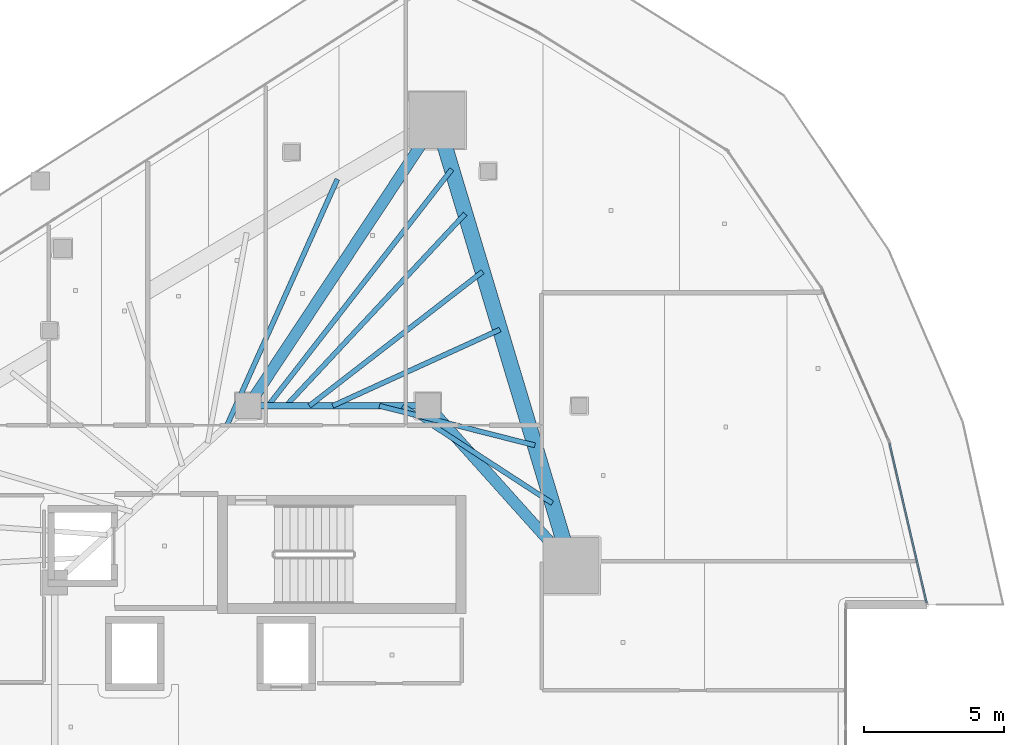
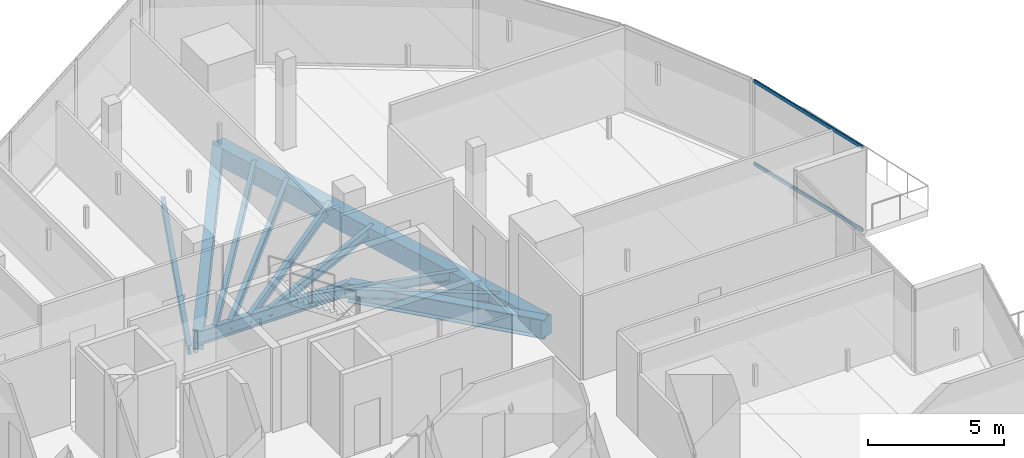
# One storey, part 18 of 33: 11 beams, 2 members, 1 element without a shape of its own.
"""IFC4 building model written with IfcOpenShell, lengths in metres."""

from ifc_helpers import new_model, si_unit, direction, frame, origin, origin_2d, place, context, subcontext, project, spatial, rectangle, hollow_rectangle, i_section, extrude, material, layer, layer_set, material_profile, profile_set, type_object, element, aggregate, save


model = new_model("IFC4")

# Units and contexts
model_context = context("Model", 3, precision=1e-05, world=origin(), true_north=direction((0.0, 1.0)))
body_context = subcontext(model_context, "Body", "Model", "MODEL_VIEW")
ifc_project = project(units=[si_unit("LENGTHUNIT", "METRE"), si_unit("AREAUNIT", "SQUARE_METRE"), si_unit("VOLUMEUNIT", "CUBIC_METRE"), si_unit("PLANEANGLEUNIT", "RADIAN"), si_unit("MASSUNIT", "GRAM", prefix="KILO")], contexts=[model_context])

# Site, building, storey
site_placement = place(None, origin())
site = spatial("IfcSite", under=ifc_project, at=site_placement, CompositionType="ELEMENT")
building_placement = place(site_placement, origin())
building = spatial("IfcBuilding", under=site, at=building_placement, Name="Qorvath Tower", CompositionType="ELEMENT")
storey_placement = place(building_placement, frame((0.0, 0.0, 209.10009765625)))
storey = spatial("IfcBuildingStorey", under=building, at=storey_placement, Name="L48", CompositionType="ELEMENT", Elevation=209.10009765625)

# Beams
ifc_material_1 = material(Name="Steel ASTM A992 Grade 50", Category="steel")
ifc_material_profile_1 = material_profile(ifc_material_1, i_section(OverallWidth=0.39892578125, OverallDepth=0.85498046875, WebThickness=0.018310546875, FlangeThickness=0.029296875, FilletRadius=0.02001953125, at=origin_2d()), Name="W33x201")
ifc_profile_set_1 = profile_set([ifc_material_profile_1], Name="Steel ASTM A992 Grade 50")
beam_type_1 = type_object("IfcBeamType", Name="BM-FG2", PredefinedType="BEAM", material=ifc_profile_set_1)
beam_1_placement = place(storey_placement, frame((-23.60009765625, 11.449951171875, -0.697509765625), z_axis=(0.551500517741, 0.834174549439, 0.0), x_axis=(-0.834174549439, 0.551500517741, 0.0)))
element("IfcBeam", 1, at=beam_1_placement, inside=storey, type_object=beam_type_1, Name="Radial Floor Girder CC1-MC6 L48", PredefinedType="BEAM", context=body_context, shape_type="SweptSolid", body=[
    extrude(i_section(OverallWidth=0.39892578125, OverallDepth=0.85498046875, WebThickness=0.018310546875, FlangeThickness=0.029296875, FilletRadius=0.02001953125, at=origin_2d()), origin(), (0.0, 0.0, 1.0), 12.200439453125),
])
beam_2_placement = place(storey_placement, frame((-17.199951171875, 11.449951171875, -0.697509765625), z_axis=(0.667543184261, -0.744571082669, 0.0), x_axis=(0.744571082669, 0.667543184261, 0.0)))
element("IfcBeam", 2, at=beam_2_placement, inside=storey, type_object=beam_type_1, Name="Radial Floor Girder CC2-MC5 L48", PredefinedType="BEAM", context=body_context, shape_type="SweptSolid", body=[
    extrude(i_section(OverallWidth=0.39892578125, OverallDepth=0.85498046875, WebThickness=0.018310546875, FlangeThickness=0.029296875, FilletRadius=0.02001953125, at=origin_2d()), origin(), (0.0, 0.0, 1.0), 7.644775390625),
])
ifc_material_2 = material(Name="Steel ASTM A992 Grade 50", Category="steel")
ifc_material_profile_2 = material_profile(ifc_material_2, i_section(OverallWidth=0.22998046875, OverallDepth=0.616943359375, WebThickness=0.01318359375, FlangeThickness=0.022216796875, FilletRadius=0.014892578125, at=origin_2d()), Name="W24x94")
ifc_profile_set_2 = profile_set([ifc_material_profile_2], Name="Steel ASTM A992 Grade 50")
beam_type_2 = type_object("IfcBeamType", Name="BM-FG6", PredefinedType="BEAM", material=ifc_profile_set_2)
beam_3_placement = place(storey_placement, frame((-23.60009765625, 11.449951171875, -0.57861328125), z_axis=(1.0, 0.0, 0.0), x_axis=(0.0, 1.0, 0.0)))
element("IfcBeam", 3, at=beam_3_placement, inside=storey, type_object=beam_type_2, Name="Core Ring Girder CC1-CC2 L48", PredefinedType="BEAM", context=body_context, shape_type="SweptSolid", body=[
    extrude(i_section(OverallWidth=0.22998046875, OverallDepth=0.616943359375, WebThickness=0.01318359375, FlangeThickness=0.022216796875, FilletRadius=0.014892578125, at=origin_2d()), origin(), (0.0, 0.0, 1.0), 6.400146484375),
])
ifc_material_3 = material(Name="Steel ASTM A992 Grade 50", Category="steel")
ifc_material_profile_3 = material_profile(ifc_material_3, i_section(OverallWidth=0.177978515625, OverallDepth=0.406005859375, WebThickness=0.0078125, FlangeThickness=0.0126953125, FilletRadius=0.010986328125, at=origin_2d()), Name="W16x40")
ifc_profile_set_3 = profile_set([ifc_material_profile_3], Name="Steel ASTM A992 Grade 50")
beam_type_3 = type_object("IfcBeamType", Name="BM-FJ3", PredefinedType="JOIST", material=ifc_profile_set_3)
beam_4_placement = place(storey_placement, frame((-18.095947265625, 11.449951171875, -0.472900390625), z_axis=(0.838041756057, -0.545606098853, 0.0), x_axis=(0.545606098853, 0.838041756057, 0.0)))
element("IfcBeam", 4, at=beam_4_placement, inside=storey, type_object=beam_type_3, Name="Composite Floor Joist NE1 L48", PredefinedType="JOIST", context=body_context, shape_type="SweptSolid", body=[
    extrude(i_section(OverallWidth=0.177978515625, OverallDepth=0.406005859375, WebThickness=0.0078125, FlangeThickness=0.0126953125, FilletRadius=0.010986328125, at=origin_2d()), origin(), (0.0, 0.0, 1.0), 6.36083984375),
])
beam_5_placement = place(storey_placement, frame((-18.927978515625, 11.449951171875, -0.472900390625), z_axis=(0.969231577698, -0.246150662794, 0.0), x_axis=(0.246150662794, 0.969231577698, 0.0)))
element("IfcBeam", 5, at=beam_5_placement, inside=storey, type_object=beam_type_3, Name="Composite Floor Joist NE2 L48", PredefinedType="JOIST", context=body_context, shape_type="SweptSolid", body=[
    extrude(i_section(OverallWidth=0.177978515625, OverallDepth=0.406005859375, WebThickness=0.0078125, FlangeThickness=0.0126953125, FilletRadius=0.010986328125, at=origin_2d()), origin(), (0.0, 0.0, 1.0), 5.718017578125),
])
beam_6_placement = place(storey_placement, frame((-20.592041015625, 11.449951171875, -0.472900390625), z_axis=(0.909945081179, 0.414728765868, 0.0), x_axis=(-0.414728765868, 0.909945081179, 0.0)))
element("IfcBeam", 6, at=beam_6_placement, inside=storey, type_object=beam_type_3, Name="Composite Floor Joist NE4 L48", PredefinedType="JOIST", context=body_context, shape_type="SweptSolid", body=[
    extrude(i_section(OverallWidth=0.177978515625, OverallDepth=0.406005859375, WebThickness=0.0078125, FlangeThickness=0.0126953125, FilletRadius=0.010986328125, at=origin_2d()), origin(), (0.0, 0.0, 1.0), 6.554931640625),
])
beam_7_placement = place(storey_placement, frame((-21.424072265625, 11.449951171875, -0.472900390625), z_axis=(0.790693445503, 0.612212279555, 0.0), x_axis=(-0.612212279555, 0.790693445503, 0.0)))
element("IfcBeam", 7, at=beam_7_placement, inside=storey, type_object=beam_type_3, Name="Composite Floor Joist NE5 L48", PredefinedType="JOIST", context=body_context, shape_type="SweptSolid", body=[
    extrude(i_section(OverallWidth=0.177978515625, OverallDepth=0.406005859375, WebThickness=0.0078125, FlangeThickness=0.0126953125, FilletRadius=0.010986328125, at=origin_2d()), origin(), (0.0, 0.0, 1.0), 7.810546875),
])
beam_8_placement = place(storey_placement, frame((-22.256103515625, 11.449951171875, -0.472900390625), z_axis=(0.682249490937, 0.731119437654, 0.0), x_axis=(-0.731119437654, 0.682249490937, 0.0)))
element("IfcBeam", 8, at=beam_8_placement, inside=storey, type_object=beam_type_3, Name="Composite Floor Joist NE6 L48", PredefinedType="JOIST", context=body_context, shape_type="SweptSolid", body=[
    extrude(i_section(OverallWidth=0.177978515625, OverallDepth=0.406005859375, WebThickness=0.0078125, FlangeThickness=0.0126953125, FilletRadius=0.010986328125, at=origin_2d()), origin(), (0.0, 0.0, 1.0), 9.362060546875),
])
beam_9_placement = place(storey_placement, frame((-22.89599609375, 11.449951171875, -0.472900390625), z_axis=(0.61345131907, 0.789732536452, 0.0), x_axis=(-0.789732536452, 0.61345131907, 0.0)))
element("IfcBeam", 9, at=beam_9_placement, inside=storey, type_object=beam_type_3, Name="Composite Floor Joist NE7 L48", PredefinedType="JOIST", context=body_context, shape_type="SweptSolid", body=[
    extrude(i_section(OverallWidth=0.177978515625, OverallDepth=0.406005859375, WebThickness=0.0078125, FlangeThickness=0.0126953125, FilletRadius=0.010986328125, at=origin_2d()), origin(), (0.0, 0.0, 1.0), 10.676513671875),
])
beam_10_placement = place(storey_placement, frame((-24.35888671875, 10.757080078125, -0.472900390625), z_axis=(0.409327209141, 0.912387656568, 0.0), x_axis=(-0.912387656568, 0.409327209141, 0.0)))
element("IfcBeam", 10, at=beam_10_placement, inside=storey, type_object=beam_type_3, Name="Composite Floor Joist NW7 L48", PredefinedType="JOIST", context=body_context, shape_type="SweptSolid", body=[
    extrude(i_section(OverallWidth=0.177978515625, OverallDepth=0.406005859375, WebThickness=0.0078125, FlangeThickness=0.0126953125, FilletRadius=0.010986328125, at=origin_2d()), origin(), (0.0, 0.0, 1.0), 9.611083984375),
])
ifc_material_4 = material(Name="Concrete C50/60", Category="concrete")
ifc_material_profile_4 = material_profile(ifc_material_4, rectangle(XDim=0.550048828125, YDim=0.85009765625, at=origin_2d()), Name="RCB 850x550")
ifc_profile_set_4 = profile_set([ifc_material_profile_4], Name="Concrete C50/60")
beam_type_4 = type_object("IfcBeamType", Name="BM-RCB2", PredefinedType="SPANDREL", material=ifc_profile_set_4)
beam_11_placement = place(storey_placement, frame((-12.0966796875, 5.7578125, -0.695068359375), z_axis=(-0.28812763802, 0.957592013443, 0.0), x_axis=(-0.957592013443, -0.28812763802, 0.0)))
element("IfcBeam", 11, at=beam_11_placement, inside=storey, type_object=beam_type_4, Name="Perimeter Loggia Frame Beam MC5-MC6 L48", PredefinedType="SPANDREL", context=body_context, shape_type="SweptSolid", body=[
    extrude(rectangle(XDim=0.550048828125, YDim=0.85009765625, at=origin_2d()), origin(), (0.0, 0.0, 1.0), 16.572265625),
])

# Curtain wall, members
ifc_material_5 = material(Name="Anodised aluminium and triple low-E glass", Category="aluminium")
ifc_layer = layer(ifc_material_5, 0.179931640625)
ifc_layer_set = layer_set([ifc_layer], Name="CW-SYS-3")
curtain_wall_type = type_object("IfcCurtainWallType", Name="CW-SYS-3", PredefinedType="NOTDEFINED", material=ifc_layer_set)
curtain_wall_placement = place(storey_placement, origin())
curtain_wall = element("IfcCurtainWall", 12, at=curtain_wall_placement, inside=storey, type_object=curtain_wall_type, Name="Curtain Wall CW-3 CW-T-L48-11.1", PredefinedType="NOTDEFINED")
ifc_material_6 = material(Name="Anodised aluminium 6063-T6", Category="aluminium")
ifc_material_profile_5 = material_profile(ifc_material_6, hollow_rectangle(XDim=0.06494140625, YDim=0.159912109375, WallThickness=0.00341796875, InnerFilletRadius=0.00341796875, OuterFilletRadius=0.007080078125, at=origin_2d()), Name="CWT 160x65")
ifc_profile_set_5 = profile_set([ifc_material_profile_5], Name="Anodised aluminium 6063-T6")
member_type = type_object("IfcMemberType", Name="CWT-160", PredefinedType="USERDEFINED", material=ifc_profile_set_5)
member_1_placement = place(storey_placement, frame((0.579345703125, 4.421142578125, 0.032470703125), z_axis=(-0.226658372303, 0.973974323206, 0.0), x_axis=(-0.973974323206, -0.226658372303, 0.0)))
member_1 = element("IfcMember", 13, at=member_1_placement, type_object=member_type, Name="CW-3 transom 1.1", ObjectType="TRANSOM", PredefinedType="USERDEFINED", context=body_context, shape_type="SweptSolid", body=[
    extrude(hollow_rectangle(XDim=0.06494140625, YDim=0.159912109375, WallThickness=0.00341796875, InnerFilletRadius=0.00341796875, OuterFilletRadius=0.007080078125, at=origin_2d()), origin(), (0.0, 0.0, 1.0), 5.8369140625),
])
member_2_placement = place(storey_placement, frame((0.579345703125, 4.421142578125, 3.747314453125), z_axis=(-0.226658372303, 0.973974323206, 0.0), x_axis=(-0.973974323206, -0.226658372303, 0.0)))
member_2 = element("IfcMember", 14, at=member_2_placement, type_object=member_type, Name="CW-3 transom 1.2", ObjectType="TRANSOM", PredefinedType="USERDEFINED", context=body_context, shape_type="SweptSolid", body=[
    extrude(hollow_rectangle(XDim=0.06494140625, YDim=0.159912109375, WallThickness=0.00341796875, InnerFilletRadius=0.00341796875, OuterFilletRadius=0.007080078125, at=origin_2d()), origin(), (0.0, 0.0, 1.0), 5.8369140625),
])
aggregate(curtain_wall, [member_1, member_2])

save(model, "model.ifc")
